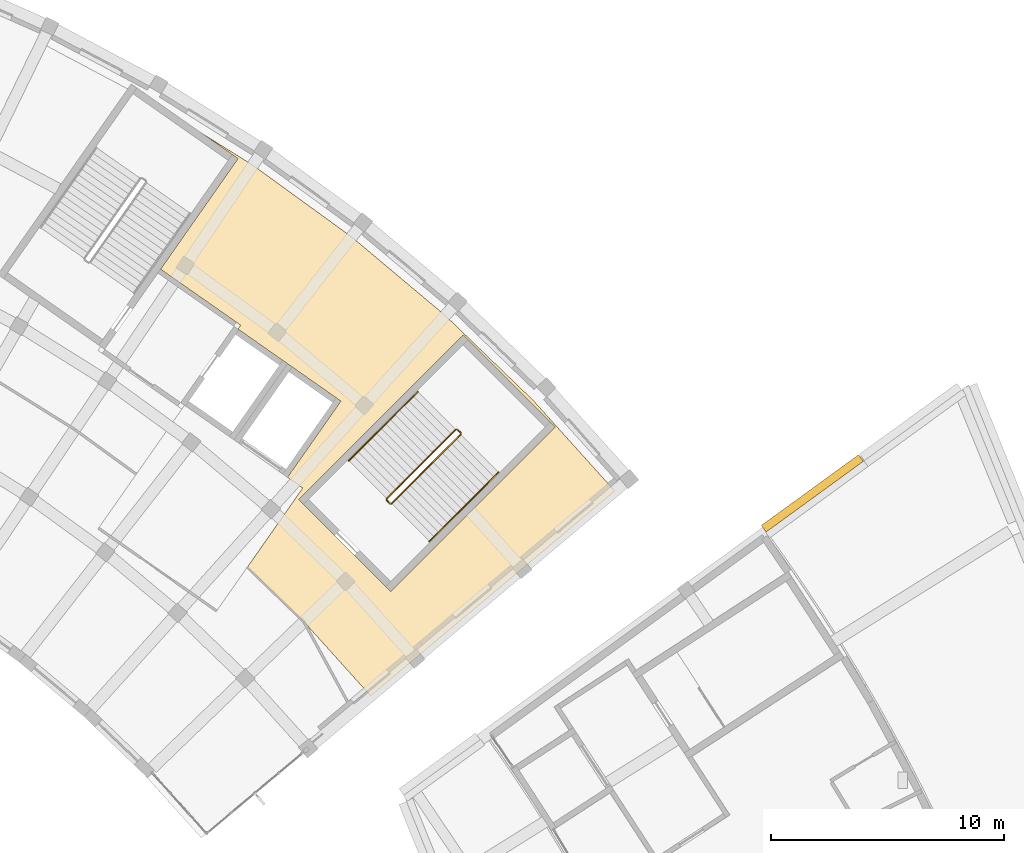
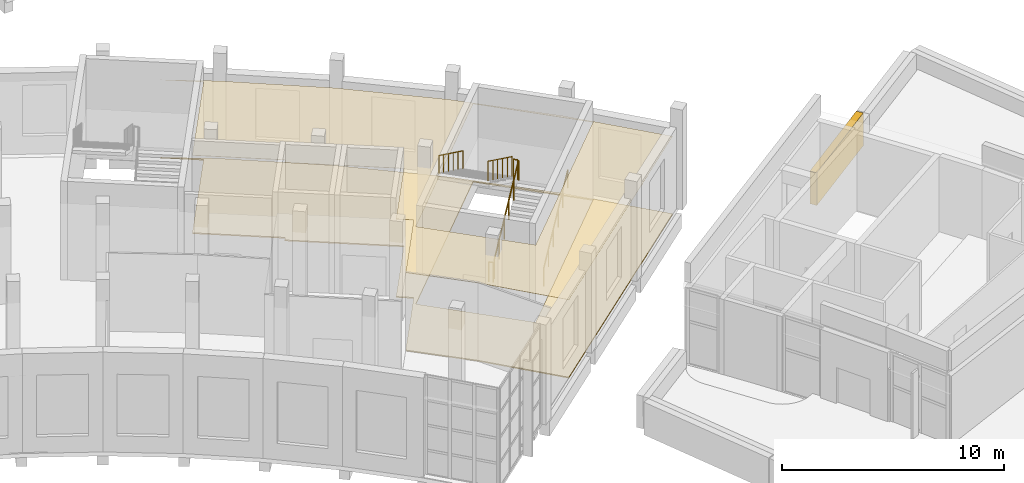
# One storey, part 127 of 132: 6 railings, 3 coverings.
"""IFC4 building model written with IfcOpenShell, lengths in metres."""

from ifc_helpers import new_model, si_unit, direction, frame, origin, origin_2d, place, context, subcontext, project, spatial, polyline, rectangle, circle, outline, extrude, material, layer, layer_set, type_object, element, save


model = new_model("IFC4")

# Units and contexts
model_context = context("Model", 3, precision=1e-05, world=origin(), true_north=direction((0.0, 1.0)))
body_context = subcontext(model_context, "Body", "Model", "MODEL_VIEW")
ifc_project = project(units=[si_unit("LENGTHUNIT", "METRE"), si_unit("AREAUNIT", "SQUARE_METRE"), si_unit("VOLUMEUNIT", "CUBIC_METRE"), si_unit("PLANEANGLEUNIT", "RADIAN"), si_unit("MASSUNIT", "GRAM", prefix="KILO")], contexts=[model_context])

# Site, building, storey
site_placement = place(None, origin())
site = spatial("IfcSite", under=ifc_project, at=site_placement, CompositionType="ELEMENT")
building_placement = place(site_placement, origin())
building = spatial("IfcBuilding", under=site, at=building_placement, Name="Lunette Opera House", CompositionType="ELEMENT")
storey_placement = place(building_placement, frame((0.0, 0.0, 17.0)))
storey = spatial("IfcBuildingStorey", under=building, at=storey_placement, Name="L03", CompositionType="ELEMENT", Elevation=17.0)

# Railings
ifc_material_1 = material(Name="Steel S355", Category="steel")
railing_type_1 = type_object("IfcRailingType", Name="STAIR GUARD 1100", PredefinedType="GUARDRAIL", material=ifc_material_1)
railing_1_placement = place(storey_placement, frame((144.012451171875, 47.800048828125, 0.171875)))
element("IfcRailing", 1, at=railing_1_placement, inside=storey, type_object=railing_type_1, Name="L03 ST4 stair guard 1", PredefinedType="GUARDRAIL", context=body_context, shape_type="SweptSolid", body=[
    extrude(circle(Radius=0.02392578125, at=origin_2d()), frame((0.0, 0.0, 1.076171875), z_axis=(0.602621891009, 0.602621891009, 0.523157445664), x_axis=(-0.707106781187, 0.707106781187, 0.0)), (0.0, 0.0, 1.0), 4.927978515625),
    extrude(circle(Radius=0.02099609375, at=origin_2d()), origin(), (0.0, 0.0, 1.0), 1.052001953125),
    extrude(circle(Radius=0.02099609375, at=origin_2d()), frame((0.593994140625, 0.593994140625, 0.515625)), (0.0, 0.0, 1.0), 1.052001953125),
    extrude(circle(Radius=0.02099609375, at=origin_2d()), frame((1.18798828125, 1.18798828125, 1.03125)), (0.0, 0.0, 1.0), 1.052001953125),
    extrude(circle(Radius=0.02099609375, at=origin_2d()), frame((1.78173828125, 1.78173828125, 1.546875)), (0.0, 0.0, 1.0), 1.052001953125),
    extrude(circle(Radius=0.02099609375, at=origin_2d()), frame((2.375732421875, 2.375732421875, 2.0625)), (0.0, 0.0, 1.0), 1.052001953125),
    extrude(circle(Radius=0.02099609375, at=origin_2d()), frame((2.9697265625, 2.9697265625, 2.578125)), (0.0, 0.0, 1.0), 1.052001953125),
])
railing_2_placement = place(storey_placement, frame((146.982177734375, 50.840576171875, 2.75)))
element("IfcRailing", 2, at=railing_2_placement, inside=storey, type_object=railing_type_1, Name="L03 ST4 stair guard 2", PredefinedType="GUARDRAIL", context=body_context, shape_type="SweptSolid", body=[
    extrude(circle(Radius=0.02392578125, at=origin_2d()), frame((0.0, 0.0, 1.076171875), z_axis=(-0.707106781187, 0.707106781187, 0.0), x_axis=(-0.707106781187, -0.707106781187, 0.0)), (0.0, 0.0, 1.0), 0.2001953125),
    extrude(circle(Radius=0.02099609375, at=origin_2d()), origin(), (0.0, 0.0, 1.0), 1.052001953125),
    extrude(circle(Radius=0.02099609375, at=origin_2d()), frame((-0.1416015625, 0.1416015625, 0.0)), (0.0, 0.0, 1.0), 1.052001953125),
])
railing_3_placement = place(storey_placement, frame((146.769775390625, 50.982177734375, 2.921875)))
element("IfcRailing", 3, at=railing_3_placement, inside=storey, type_object=railing_type_1, Name="L03 ST4 stair guard 3", PredefinedType="GUARDRAIL", context=body_context, shape_type="SweptSolid", body=[
    extrude(circle(Radius=0.02392578125, at=origin_2d()), frame((0.0, 0.0, 1.076171875), z_axis=(-0.602621891009, -0.602621891009, 0.523157445664), x_axis=(0.707106781187, -0.707106781187, 0.0)), (0.0, 0.0, 1.0), 4.927978515625),
    extrude(circle(Radius=0.02099609375, at=origin_2d()), origin(), (0.0, 0.0, 1.0), 1.052001953125),
    extrude(circle(Radius=0.02099609375, at=origin_2d()), frame((-0.593994140625, -0.593994140625, 0.515625)), (0.0, 0.0, 1.0), 1.052001953125),
    extrude(circle(Radius=0.02099609375, at=origin_2d()), frame((-1.18798828125, -1.18798828125, 1.03125)), (0.0, 0.0, 1.0), 1.052001953125),
    extrude(circle(Radius=0.02099609375, at=origin_2d()), frame((-1.78173828125, -1.78173828125, 1.546875)), (0.0, 0.0, 1.0), 1.052001953125),
    extrude(circle(Radius=0.02099609375, at=origin_2d()), frame((-2.375732421875, -2.375732421875, 2.0625)), (0.0, 0.0, 1.0), 1.052001953125),
    extrude(circle(Radius=0.02099609375, at=origin_2d()), frame((-2.9697265625, -2.9697265625, 2.578125)), (0.0, 0.0, 1.0), 1.052001953125),
])
railing_4_placement = place(storey_placement, frame((143.941650390625, 47.800048828125, 0.0)))
element("IfcRailing", 4, at=railing_4_placement, inside=storey, type_object=railing_type_1, Name="L03 ST4 stair guard 4", PredefinedType="GUARDRAIL", context=body_context, shape_type="SweptSolid", body=[
    extrude(circle(Radius=0.02392578125, at=origin_2d()), frame((0.0, 0.0, 1.076171875), z_axis=(-0.707106781187, 0.707106781187, 0.0), x_axis=(-0.707106781187, -0.707106781187, 0.0)), (0.0, 0.0, 1.0), 0.2001953125),
    extrude(circle(Radius=0.02099609375, at=origin_2d()), origin(), (0.0, 0.0, 1.0), 1.052001953125),
    extrude(circle(Radius=0.02099609375, at=origin_2d()), frame((-0.1416015625, 0.1416015625, 0.0)), (0.0, 0.0, 1.0), 1.052001953125),
])
ifc_material_2 = material(Name="Steel S355", Category="steel")
railing_type_2 = type_object("IfcRailingType", Name="STAIR HANDRAIL 1000", PredefinedType="HANDRAIL", material=ifc_material_2)
railing_5_placement = place(storey_placement, frame((145.638671875, 46.173583984375, 0.171875)))
element("IfcRailing", 5, at=railing_5_placement, inside=storey, type_object=railing_type_2, Name="L03 ST4 stair handrail 1", PredefinedType="HANDRAIL", context=body_context, shape_type="SweptSolid", body=[
    extrude(circle(Radius=0.02392578125, at=origin_2d()), frame((0.0, 0.0, 0.97607421875), z_axis=(0.602635448971, 0.602635448971, 0.523126209711), x_axis=(-0.707106781187, 0.707106781187, 0.0)), (0.0, 0.0, 1.0), 4.92822265625),
    extrude(circle(Radius=0.02099609375, at=origin_2d()), origin(), (0.0, 0.0, 1.0), 0.951904296875),
    extrude(circle(Radius=0.02099609375, at=origin_2d()), frame((0.593994140625, 0.593994140625, 0.515625)), (0.0, 0.0, 1.0), 0.951904296875),
    extrude(circle(Radius=0.02099609375, at=origin_2d()), frame((1.18798828125, 1.18798828125, 1.03125)), (0.0, 0.0, 1.0), 0.951904296875),
    extrude(circle(Radius=0.02099609375, at=origin_2d()), frame((1.781982421875, 1.781982421875, 1.546875)), (0.0, 0.0, 1.0), 0.951904296875),
    extrude(circle(Radius=0.02099609375, at=origin_2d()), frame((2.3759765625, 2.3759765625, 2.0625)), (0.0, 0.0, 1.0), 0.951904296875),
    extrude(circle(Radius=0.02099609375, at=origin_2d()), frame((2.969970703125, 2.969970703125, 2.578125)), (0.0, 0.0, 1.0), 0.951904296875),
])
railing_6_placement = place(storey_placement, frame((145.1435546875, 52.608642578125, 2.921875)))
element("IfcRailing", 6, at=railing_6_placement, inside=storey, type_object=railing_type_2, Name="L03 ST4 stair handrail 2", PredefinedType="HANDRAIL", context=body_context, shape_type="SweptSolid", body=[
    extrude(circle(Radius=0.02392578125, at=origin_2d()), frame((0.0, 0.0, 0.97607421875), z_axis=(-0.602635448971, -0.602635448971, 0.523126209711), x_axis=(0.707106781187, -0.707106781187, 0.0)), (0.0, 0.0, 1.0), 4.92822265625),
    extrude(circle(Radius=0.02099609375, at=origin_2d()), origin(), (0.0, 0.0, 1.0), 0.951904296875),
    extrude(circle(Radius=0.02099609375, at=origin_2d()), frame((-0.593994140625, -0.593994140625, 0.515625)), (0.0, 0.0, 1.0), 0.951904296875),
    extrude(circle(Radius=0.02099609375, at=origin_2d()), frame((-1.18798828125, -1.18798828125, 1.03125)), (0.0, 0.0, 1.0), 0.951904296875),
    extrude(circle(Radius=0.02099609375, at=origin_2d()), frame((-1.781982421875, -1.781982421875, 1.546875)), (0.0, 0.0, 1.0), 0.951904296875),
    extrude(circle(Radius=0.02099609375, at=origin_2d()), frame((-2.3759765625, -2.3759765625, 2.0625)), (0.0, 0.0, 1.0), 0.951904296875),
    extrude(circle(Radius=0.02099609375, at=origin_2d()), frame((-2.969970703125, -2.969970703125, 2.578125)), (0.0, 0.0, 1.0), 0.951904296875),
])

# Coverings
ifc_material_3 = material(Name="Mineral fibre board")
ifc_layer_1 = layer(ifc_material_3, 0.014892578125)
ifc_layer_set_1 = layer_set([ifc_layer_1], Name="Mineral fibre board")
covering_type_1 = type_object("IfcCoveringType", Name="SUSPENDED ACOUSTIC CEILING 15", PredefinedType="CEILING", material=ifc_layer_set_1)
covering_1_placement = place(storey_placement, frame((0.0, 0.0, 4.31494140625)))
element("IfcCovering", 7, at=covering_1_placement, inside=storey, type_object=covering_type_1, Name="Ceiling Second Tier Foyer Rear", PredefinedType="CEILING", context=body_context, shape_type="SweptSolid", body=[
    extrude(outline(polyline([(141.8310546875, 52.202880859375), (139.537109375, 53.80908203125), (137.407958984375, 55.300048828125), (137.52294921875, 55.464111328125), (134.08203125, 57.8740234375), (137.408935546875, 62.625), (135.81396484375, 63.741943359375), (138.051025390625, 62.343994140625), (142.298095703125, 59.258056640625), (146.319091796875, 55.884033203125), (150.093994140625, 52.238037109375), (153.60595703125, 48.337890625), (145.027099609375, 41.137939453125), (143.112060546875, 39.531005859375), (140.239013671875, 42.720947265625), (137.81103515625, 45.06689453125), (140.19189453125, 48.468017578125), (139.537109375, 48.927001953125), (141.8310546875, 52.202880859375)]), holes=[polyline([(140.01708984375, 47.97705078125), (143.97705078125, 44.01708984375), (151.048095703125, 51.087890625), (147.087890625, 55.048095703125), (140.01708984375, 47.97705078125)])]), origin(), (0.0, 0.0, 1.0), 0.01513671875),
])
ifc_material_4 = material(Name="Terrazzo")
ifc_layer_2 = layer(ifc_material_4, 0.06005859375)
ifc_layer_set_2 = layer_set([ifc_layer_2], Name="Terrazzo")
covering_type_2 = type_object("IfcCoveringType", Name="TERRAZZO FLOOR FINISH 60", PredefinedType="FLOORING", material=ifc_layer_set_2)
covering_2_placement = place(storey_placement, origin())
element("IfcCovering", 8, at=covering_2_placement, inside=storey, type_object=covering_type_2, Name="Floor finish Second Tier Foyer Rear", PredefinedType="FLOORING", context=body_context, shape_type="SweptSolid", body=[
    extrude(outline(polyline([(141.8310546875, 52.202880859375), (139.537109375, 53.80908203125), (137.407958984375, 55.300048828125), (137.52294921875, 55.464111328125), (134.08203125, 57.8740234375), (137.408935546875, 62.625), (135.81396484375, 63.741943359375), (138.051025390625, 62.343994140625), (142.298095703125, 59.258056640625), (146.319091796875, 55.884033203125), (150.093994140625, 52.238037109375), (153.60595703125, 48.337890625), (145.027099609375, 41.137939453125), (143.112060546875, 39.531005859375), (140.239013671875, 42.720947265625), (137.81103515625, 45.06689453125), (140.19189453125, 48.468017578125), (139.537109375, 48.927001953125), (141.8310546875, 52.202880859375)]), holes=[polyline([(140.01708984375, 47.97705078125), (143.97705078125, 44.01708984375), (151.048095703125, 51.087890625), (147.087890625, 55.048095703125), (140.01708984375, 47.97705078125)])]), origin(), (0.0, 0.0, 1.0), 0.06005859375),
])
ifc_material_5 = material(Name="Zinc standing seam cladding")
ifc_layer_3 = layer(ifc_material_5, 0.35009765625)
ifc_layer_set_3 = layer_set([ifc_layer_3], Name="Zinc standing seam cladding")
covering_type_3 = type_object("IfcCoveringType", Name="ZINC ROOF FASCIA 350", PredefinedType="CLADDING", material=ifc_layer_set_3)
covering_3_placement = place(storey_placement, frame((162.097900390625, 48.239013671875, -0.7001953125), z_axis=(0.0, 0.0, 1.0), x_axis=(-0.809034433958, -0.587761248016, 0.0)))
element("IfcCovering", 9, at=covering_3_placement, inside=storey, type_object=covering_type_3, Name="Studio roof fascia", PredefinedType="CLADDING", context=body_context, shape_type="SweptSolid", body=[
    extrude(rectangle(XDim=5.169921875, YDim=0.35009765625, at=origin_2d()), origin(), (0.0, 0.0, 1.0), 1.800048828125),
])

save(model, "model.ifc")
